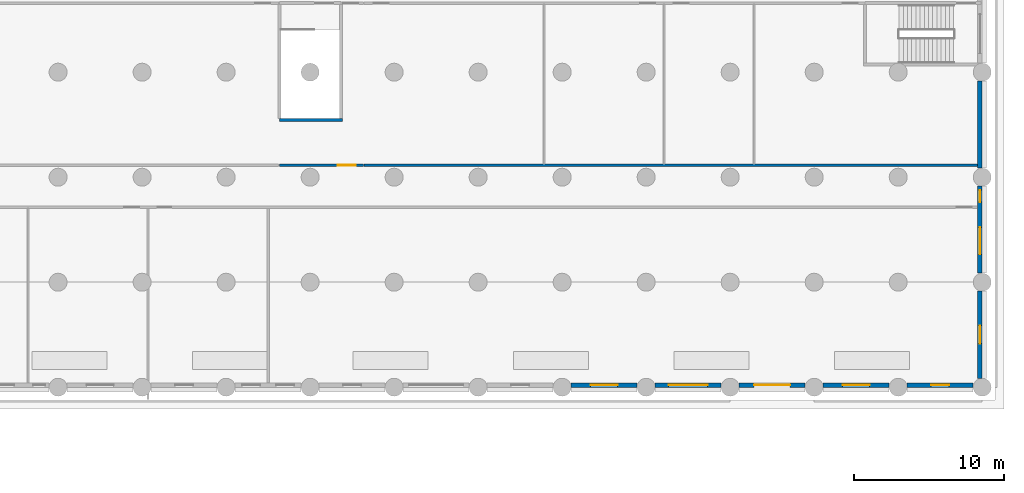
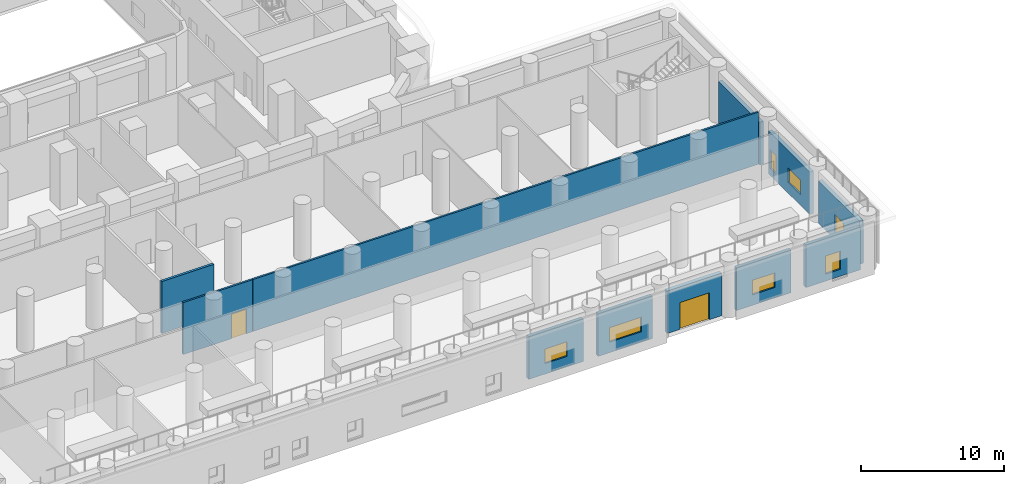
# One storey, part 8 of 24: 11 walls, 7 windows, 2 doors, 9 openings.
"""IFC4 building model written with IfcOpenShell, lengths in metres."""

from ifc_helpers import new_model, si_unit, direction, frame, frame_2d, origin, place, context, subcontext, project, spatial, rectangle, extrude, material, layer, layer_set, type_object, element, fill, save


model = new_model("IFC4")

# Units and contexts
model_context = context("Model", 3, precision=1e-05, world=origin(), true_north=direction((0.0, 1.0)))
body_context = subcontext(model_context, "Body", "Model", "MODEL_VIEW")
ifc_project = project(units=[si_unit("LENGTHUNIT", "METRE"), si_unit("AREAUNIT", "SQUARE_METRE"), si_unit("VOLUMEUNIT", "CUBIC_METRE"), si_unit("PLANEANGLEUNIT", "RADIAN"), si_unit("MASSUNIT", "GRAM", prefix="KILO")], contexts=[model_context])

# Site, building, storey
site_placement = place(None, origin())
site = spatial("IfcSite", under=ifc_project, at=site_placement, CompositionType="ELEMENT")
building_placement = place(site_placement, origin())
building = spatial("IfcBuilding", under=site, at=building_placement, Name="Kiln Ring Residences", CompositionType="ELEMENT")
storey_placement = place(building_placement, frame((0.0, 0.0, 11.300048828125)))
storey = spatial("IfcBuildingStorey", under=building, at=storey_placement, Name="L02", CompositionType="ELEMENT", Elevation=11.300048828125)

# Wall, opening, window
ifc_material_1 = material(Name="Brick masonry, dark clay brick", Category="masonry")
ifc_layer_1 = layer(ifc_material_1, 0.300048828125)
ifc_layer_set_1 = layer_set([ifc_layer_1], Name="EW-300 BRICK WALL")
wall_type_1 = type_object("IfcWallType", Name="EW-300 BRICK WALL", PredefinedType="SOLIDWALL", material=ifc_layer_set_1)
wall_1_placement = place(storey_placement, frame((44.64990234375, -49.800048828125, 0.0), z_axis=(0.0, 0.0, 1.0), x_axis=(0.0, 1.0, 0.0)))
wall_1 = element("IfcWall", 1, at=wall_1_placement, inside=storey, type_object=wall_type_1, Name="Facade wall L02 1", PredefinedType="SOLIDWALL", context=body_context, shape_type="SweptSolid", body=[
    extrude(rectangle(XDim=5.800048828125, YDim=0.300048828125, at=frame_2d((2.89990234375, 0.0))), origin(), (0.0, 0.0, 1.0), 3.64990234375),
])
opening_1_placement = place(wall_1_placement, frame((2.300048828125, 0.0, 0.60009765625)))
opening_1 = element("IfcOpeningElement", 2, at=opening_1_placement, cuts=wall_1, Name="Opening W1", PredefinedType="OPENING", context=body_context, shape_type="SweptSolid", body=[
    extrude(rectangle(XDim=1.199951171875, YDim=1.550048828125, at=frame_2d((0.60009765625, 0.77490234375))), frame((0.0, 0.159912109375, 0.0), z_axis=(0.0, -1.0, 0.0), x_axis=(1.0, 0.0, 0.0)), (0.0, 0.0, 1.0), 0.320068359375),
])
ifc_material_2 = material(Name="Aluminium frame with double glazing", Category="aluminium")
window_type_1 = type_object("IfcWindowType", Name="WINDOW 1200 x 1550", PartitioningType="SINGLE_PANEL", PredefinedType="WINDOW", material=ifc_material_2)
window_1_placement = place(opening_1_placement, origin())
window_1 = element("IfcWindow", 3, at=window_1_placement, inside=storey, type_object=window_type_1, Name="Window L02 1", OverallHeight=1.550048828125, OverallWidth=1.199951171875, PartitioningType="SINGLE_PANEL", PredefinedType="WINDOW", context=body_context, shape_type="SweptSolid", body=[
    extrude(rectangle(XDim=1.199951171875, YDim=1.550048828125, at=frame_2d((0.60009765625, 0.77490234375))), frame((0.0, 0.030029296875, 0.0), z_axis=(0.0, -1.0, 0.0), x_axis=(1.0, 0.0, 0.0)), (0.0, 0.0, 1.0), 0.06005859375),
])
fill(opening_1, window_1)

# Wall, openings, windows
wall_2_placement = place(storey_placement, frame((44.64990234375, -42.800048828125, 0.0), z_axis=(0.0, 0.0, 1.0), x_axis=(0.0, 1.0, 0.0)))
wall_2 = element("IfcWall", 4, at=wall_2_placement, inside=storey, type_object=wall_type_1, Name="Facade wall L02 2", PredefinedType="SOLIDWALL", context=body_context, shape_type="SweptSolid", body=[
    extrude(rectangle(XDim=5.800048828125, YDim=0.300048828125, at=frame_2d((2.89990234375, 0.0))), origin(), (0.0, 0.0, 1.0), 3.64990234375),
])
opening_2_placement = place(wall_2_placement, frame((1.262451171875, 0.0, 0.89990234375)))
opening_2 = element("IfcOpeningElement", 5, at=opening_2_placement, cuts=wall_2, Name="Opening W2", PredefinedType="OPENING", context=body_context, shape_type="SweptSolid", body=[
    extrude(rectangle(XDim=1.800048828125, YDim=1.25, at=frame_2d((0.89990234375, 0.625))), frame((0.0, 0.159912109375, 0.0), z_axis=(0.0, -1.0, 0.0), x_axis=(1.0, 0.0, 0.0)), (0.0, 0.0, 1.0), 0.320068359375),
])
opening_3_placement = place(wall_2_placement, frame((4.737548828125, 0.0, 0.60009765625)))
opening_3 = element("IfcOpeningElement", 6, at=opening_3_placement, cuts=wall_2, Name="Opening W5", PredefinedType="OPENING", context=body_context, shape_type="SweptSolid", body=[
    extrude(rectangle(XDim=0.800048828125, YDim=1.550048828125, at=frame_2d((0.39990234375, 0.77490234375))), frame((0.0, 0.159912109375, 0.0), z_axis=(0.0, -1.0, 0.0), x_axis=(1.0, 0.0, 0.0)), (0.0, 0.0, 1.0), 0.320068359375),
])
ifc_material_3 = material(Name="Aluminium frame with double glazing", Category="aluminium")
window_type_2 = type_object("IfcWindowType", Name="WINDOW 1800 x 1250", PartitioningType="SINGLE_PANEL", PredefinedType="WINDOW", material=ifc_material_3)
window_2_placement = place(opening_2_placement, origin())
window_2 = element("IfcWindow", 7, at=window_2_placement, inside=storey, type_object=window_type_2, Name="Window L02 2", OverallHeight=1.25, OverallWidth=1.800048828125, PartitioningType="SINGLE_PANEL", PredefinedType="WINDOW", context=body_context, shape_type="SweptSolid", body=[
    extrude(rectangle(XDim=1.800048828125, YDim=1.25, at=frame_2d((0.89990234375, 0.625))), frame((0.0, 0.030029296875, 0.0), z_axis=(0.0, -1.0, 0.0), x_axis=(1.0, 0.0, 0.0)), (0.0, 0.0, 1.0), 0.06005859375),
])
fill(opening_2, window_2)
ifc_material_4 = material(Name="Aluminium frame with double glazing", Category="aluminium")
window_type_3 = type_object("IfcWindowType", Name="WINDOW 800 x 1550", PartitioningType="SINGLE_PANEL", PredefinedType="WINDOW", material=ifc_material_4)
window_3_placement = place(opening_3_placement, origin())
window_3 = element("IfcWindow", 8, at=window_3_placement, inside=storey, type_object=window_type_3, Name="Window L02 3", OverallHeight=1.550048828125, OverallWidth=0.800048828125, PartitioningType="SINGLE_PANEL", PredefinedType="WINDOW", context=body_context, shape_type="SweptSolid", body=[
    extrude(rectangle(XDim=0.800048828125, YDim=1.550048828125, at=frame_2d((0.39990234375, 0.77490234375))), frame((0.0, 0.030029296875, 0.0), z_axis=(0.0, -1.0, 0.0), x_axis=(1.0, 0.0, 0.0)), (0.0, 0.0, 1.0), 0.06005859375),
])
fill(opening_3, window_3)

# Wall
wall_3_placement = place(storey_placement, frame((44.64990234375, -35.800048828125, 0.0), z_axis=(0.0, 0.0, 1.0), x_axis=(0.0, 1.0, 0.0)))
element("IfcWall", 9, at=wall_3_placement, inside=storey, type_object=wall_type_1, Name="Facade wall L02 3", PredefinedType="SOLIDWALL", context=body_context, shape_type="SweptSolid", body=[
    extrude(rectangle(XDim=5.800048828125, YDim=0.300048828125, at=frame_2d((2.89990234375, 0.0))), origin(), (0.0, 0.0, 1.0), 3.64990234375),
])

# Wall, opening, window
wall_4_placement = place(storey_placement, frame((17.39990234375, -50.25, 0.0), z_axis=(0.0, 0.0, 1.0), x_axis=(1.0, 0.0, 0.0)))
wall_4 = element("IfcWall", 10, at=wall_4_placement, inside=storey, type_object=wall_type_1, Name="Facade wall L02 70", PredefinedType="SOLIDWALL", context=body_context, shape_type="SweptSolid", body=[
    extrude(rectangle(XDim=4.400146484375, YDim=0.300048828125, at=frame_2d((2.2001953125, 0.0))), origin(), (0.0, 0.0, 1.0), 3.64990234375),
])
opening_4_placement = place(wall_4_placement, frame((1.300048828125, 0.0, 0.89990234375)))
opening_4 = element("IfcOpeningElement", 11, at=opening_4_placement, cuts=wall_4, Name="Opening W2", PredefinedType="OPENING", context=body_context, shape_type="SweptSolid", body=[
    extrude(rectangle(XDim=1.800048828125, YDim=1.25, at=frame_2d((0.89990234375, 0.625))), frame((0.0, 0.159912109375, 0.0), z_axis=(0.0, -1.0, 0.0), x_axis=(1.0, 0.0, 0.0)), (0.0, 0.0, 1.0), 0.320068359375),
])
window_4_placement = place(opening_4_placement, origin())
window_4 = element("IfcWindow", 12, at=window_4_placement, inside=storey, type_object=window_type_2, Name="Window L02 43", OverallHeight=1.25, OverallWidth=1.800048828125, PartitioningType="SINGLE_PANEL", PredefinedType="WINDOW", context=body_context, shape_type="SweptSolid", body=[
    extrude(rectangle(XDim=1.800048828125, YDim=1.25, at=frame_2d((0.89990234375, 0.625))), frame((0.0, 0.030029296875, 0.0), z_axis=(0.0, -1.0, 0.0), x_axis=(1.0, 0.0, 0.0)), (0.0, 0.0, 1.0), 0.06005859375),
])
fill(opening_4, window_4)

wall_5_placement = place(storey_placement, frame((23.0, -50.25, 0.0), z_axis=(0.0, 0.0, 1.0), x_axis=(1.0, 0.0, 0.0)))
wall_5 = element("IfcWall", 13, at=wall_5_placement, inside=storey, type_object=wall_type_1, Name="Facade wall L02 71", PredefinedType="SOLIDWALL", context=body_context, shape_type="SweptSolid", body=[
    extrude(rectangle(XDim=4.39990234375, YDim=0.300048828125, at=frame_2d((2.199951171875, 0.0))), origin(), (0.0, 0.0, 1.0), 3.64990234375),
])
opening_5_placement = place(wall_5_placement, frame((0.89990234375, 0.0, 0.89990234375)))
opening_5 = element("IfcOpeningElement", 14, at=opening_5_placement, cuts=wall_5, Name="Opening W3", PredefinedType="OPENING", context=body_context, shape_type="SweptSolid", body=[
    extrude(rectangle(XDim=2.60009765625, YDim=1.25, at=frame_2d((1.300048828125, 0.625))), frame((0.0, 0.159912109375, 0.0), z_axis=(0.0, -1.0, 0.0), x_axis=(1.0, 0.0, 0.0)), (0.0, 0.0, 1.0), 0.320068359375),
])
ifc_material_5 = material(Name="Aluminium frame with double glazing", Category="aluminium")
window_type_4 = type_object("IfcWindowType", Name="WINDOW 2600 x 1250", PartitioningType="SINGLE_PANEL", PredefinedType="WINDOW", material=ifc_material_5)
window_5_placement = place(opening_5_placement, origin())
window_5 = element("IfcWindow", 15, at=window_5_placement, inside=storey, type_object=window_type_4, Name="Window L02 44", OverallHeight=1.25, OverallWidth=2.60009765625, PartitioningType="SINGLE_PANEL", PredefinedType="WINDOW", context=body_context, shape_type="SweptSolid", body=[
    extrude(rectangle(XDim=2.60009765625, YDim=1.25, at=frame_2d((1.300048828125, 0.625))), frame((0.0, 0.030029296875, 0.0), z_axis=(0.0, -1.0, 0.0), x_axis=(1.0, 0.0, 0.0)), (0.0, 0.0, 1.0), 0.06005859375),
])
fill(opening_5, window_5)

# Wall, opening, door
wall_6_placement = place(storey_placement, frame((28.60009765625, -50.25, 0.0), z_axis=(0.0, 0.0, 1.0), x_axis=(1.0, 0.0, 0.0)))
wall_6 = element("IfcWall", 16, at=wall_6_placement, inside=storey, type_object=wall_type_1, Name="Facade wall L02 72", PredefinedType="SOLIDWALL", context=body_context, shape_type="SweptSolid", body=[
    extrude(rectangle(XDim=4.39990234375, YDim=0.300048828125, at=frame_2d((2.199951171875, 0.0))), origin(), (0.0, 0.0, 1.0), 3.64990234375),
])
opening_6_placement = place(wall_6_placement, frame((1.0, 0.0, 0.0)))
opening_6 = element("IfcOpeningElement", 17, at=opening_6_placement, cuts=wall_6, Name="Opening EL02-2", PredefinedType="OPENING", context=body_context, shape_type="SweptSolid", body=[
    extrude(rectangle(XDim=2.39990234375, YDim=2.300048828125, at=frame_2d((1.199951171875, 1.14990234375))), frame((0.0, 0.159912109375, 0.0), z_axis=(0.0, -1.0, 0.0), x_axis=(1.0, 0.0, 0.0)), (0.0, 0.0, 1.0), 0.320068359375),
])
ifc_material_6 = material(Name="Aluminium and glass", Category="aluminium")
door_type_1 = type_object("IfcDoorType", Name="TERRACE DOOR 2400 x 2300", OperationType="DOUBLE_DOOR_SINGLE_SWING", PredefinedType="DOOR", material=ifc_material_6)
door_1_placement = place(opening_6_placement, origin())
door_1 = element("IfcDoor", 18, at=door_1_placement, inside=storey, type_object=door_type_1, Name="Terrace door EL02-2", OperationType="SINGLE_SWING_LEFT", OverallHeight=2.300048828125, OverallWidth=2.39990234375, PredefinedType="DOOR", context=body_context, shape_type="SweptSolid", body=[
    extrude(rectangle(XDim=2.39990234375, YDim=2.300048828125, at=frame_2d((1.199951171875, 1.14990234375))), frame((0.0, 0.02490234375, 0.0), z_axis=(0.0, -1.0, 0.0), x_axis=(1.0, 0.0, 0.0)), (0.0, 0.0, 1.0), 0.050048828125),
])
fill(opening_6, door_1)

# Wall, opening, window
wall_7_placement = place(storey_placement, frame((34.199951171875, -50.25, 0.0), z_axis=(0.0, 0.0, 1.0), x_axis=(1.0, 0.0, 0.0)))
wall_7 = element("IfcWall", 19, at=wall_7_placement, inside=storey, type_object=wall_type_1, Name="Facade wall L02 73", PredefinedType="SOLIDWALL", context=body_context, shape_type="SweptSolid", body=[
    extrude(rectangle(XDim=4.400146484375, YDim=0.300048828125, at=frame_2d((2.2001953125, 0.0))), origin(), (0.0, 0.0, 1.0), 3.64990234375),
])
opening_7_placement = place(wall_7_placement, frame((1.300048828125, 0.0, 0.89990234375)))
opening_7 = element("IfcOpeningElement", 20, at=opening_7_placement, cuts=wall_7, Name="Opening W2", PredefinedType="OPENING", context=body_context, shape_type="SweptSolid", body=[
    extrude(rectangle(XDim=1.800048828125, YDim=1.25, at=frame_2d((0.89990234375, 0.625))), frame((0.0, 0.159912109375, 0.0), z_axis=(0.0, -1.0, 0.0), x_axis=(1.0, 0.0, 0.0)), (0.0, 0.0, 1.0), 0.320068359375),
])
window_6_placement = place(opening_7_placement, origin())
window_6 = element("IfcWindow", 21, at=window_6_placement, inside=storey, type_object=window_type_2, Name="Window L02 45", OverallHeight=1.25, OverallWidth=1.800048828125, PartitioningType="SINGLE_PANEL", PredefinedType="WINDOW", context=body_context, shape_type="SweptSolid", body=[
    extrude(rectangle(XDim=1.800048828125, YDim=1.25, at=frame_2d((0.89990234375, 0.625))), frame((0.0, 0.030029296875, 0.0), z_axis=(0.0, -1.0, 0.0), x_axis=(1.0, 0.0, 0.0)), (0.0, 0.0, 1.0), 0.06005859375),
])
fill(opening_7, window_6)

wall_8_placement = place(storey_placement, frame((39.800048828125, -50.25, 0.0), z_axis=(0.0, 0.0, 1.0), x_axis=(1.0, 0.0, 0.0)))
wall_8 = element("IfcWall", 22, at=wall_8_placement, inside=storey, type_object=wall_type_1, Name="Facade wall L02 74", PredefinedType="SOLIDWALL", context=body_context, shape_type="SweptSolid", body=[
    extrude(rectangle(XDim=4.39990234375, YDim=0.300048828125, at=frame_2d((2.199951171875, 0.0))), origin(), (0.0, 0.0, 1.0), 3.64990234375),
])
opening_8_placement = place(wall_8_placement, frame((1.60009765625, 0.0, 0.60009765625)))
opening_8 = element("IfcOpeningElement", 23, at=opening_8_placement, cuts=wall_8, Name="Opening W1", PredefinedType="OPENING", context=body_context, shape_type="SweptSolid", body=[
    extrude(rectangle(XDim=1.199951171875, YDim=1.550048828125, at=frame_2d((0.60009765625, 0.77490234375))), frame((0.0, 0.159912109375, 0.0), z_axis=(0.0, -1.0, 0.0), x_axis=(1.0, 0.0, 0.0)), (0.0, 0.0, 1.0), 0.320068359375),
])
window_7_placement = place(opening_8_placement, origin())
window_7 = element("IfcWindow", 24, at=window_7_placement, inside=storey, type_object=window_type_1, Name="Window L02 46", OverallHeight=1.550048828125, OverallWidth=1.199951171875, PartitioningType="SINGLE_PANEL", PredefinedType="WINDOW", context=body_context, shape_type="SweptSolid", body=[
    extrude(rectangle(XDim=1.199951171875, YDim=1.550048828125, at=frame_2d((0.60009765625, 0.77490234375))), frame((0.0, 0.030029296875, 0.0), z_axis=(0.0, -1.0, 0.0), x_axis=(1.0, 0.0, 0.0)), (0.0, 0.0, 1.0), 0.06005859375),
])
fill(opening_8, window_7)

# Wall, opening, door
ifc_material_7 = material(Name="Brick masonry partition", Category="masonry")
ifc_layer_2 = layer(ifc_material_7, 0.14990234375)
ifc_layer_set_2 = layer_set([ifc_layer_2], Name="PARTITION-150-ei60")
wall_type_2 = type_object("IfcWallType", Name="PARTITION-150-ei60", PredefinedType="PARTITIONING", material=ifc_layer_set_2)
wall_9_placement = place(storey_placement, frame((-2.050048828125, -35.60009765625, 0.0), z_axis=(0.0, 0.0, 1.0), x_axis=(1.0, 0.0, 0.0)))
wall_9 = element("IfcWall", 25, at=wall_9_placement, inside=storey, type_object=wall_type_2, Name="Partition 002", PredefinedType="PARTITIONING", context=body_context, shape_type="SweptSolid", body=[
    extrude(rectangle(XDim=5.60009765625, YDim=0.14990234375, at=frame_2d((2.800048828125, 0.0))), origin(), (0.0, 0.0, 1.0), 4.449951171875),
])
opening_9_placement = place(wall_9_placement, frame((3.89990234375, 0.0, 0.0)))
opening_9 = element("IfcOpeningElement", 26, at=opening_9_placement, cuts=wall_9, Name="Opening L02-D010", PredefinedType="OPENING", context=body_context, shape_type="SweptSolid", body=[
    extrude(rectangle(XDim=1.199951171875, YDim=2.10009765625, at=frame_2d((0.60009765625, 1.050048828125))), frame((0.0, 0.0849609375, 0.0), z_axis=(0.0, -1.0, 0.0), x_axis=(1.0, 0.0, 0.0)), (0.0, 0.0, 1.0), 0.169921875),
])
ifc_material_8 = material(Name="Steel faced fire door leaf", Category="steel")
door_type_2 = type_object("IfcDoorType", Name="FLAT-DOOR-1200-FR", OperationType="SINGLE_SWING_LEFT", PredefinedType="DOOR", material=ifc_material_8)
door_2_placement = place(opening_9_placement, origin())
door_2 = element("IfcDoor", 27, at=door_2_placement, inside=storey, type_object=door_type_2, Name="Door L02-D010", OperationType="SINGLE_SWING_RIGHT", OverallHeight=2.10009765625, OverallWidth=1.199951171875, PredefinedType="DOOR", context=body_context, shape_type="SweptSolid", body=[
    extrude(rectangle(XDim=1.199951171875, YDim=2.10009765625, at=frame_2d((0.60009765625, 1.050048828125))), frame((0.0, 0.02490234375, 0.0), z_axis=(0.0, -1.0, 0.0), x_axis=(1.0, 0.0, 0.0)), (0.0, 0.0, 1.0), 0.050048828125),
])
fill(opening_9, door_2)

# Walls
wall_10_placement = place(storey_placement, frame((3.60009765625, -35.60009765625, 0.0), z_axis=(0.0, 0.0, 1.0), x_axis=(1.0, 0.0, 0.0)))
element("IfcWall", 28, at=wall_10_placement, inside=storey, type_object=wall_type_2, Name="Partition 003", PredefinedType="PARTITIONING", context=body_context, shape_type="SweptSolid", body=[
    extrude(rectangle(XDim=40.8798828125, YDim=0.14990234375, at=frame_2d((20.43994140625, 0.0))), origin(), (0.0, 0.0, 1.0), 4.449951171875),
])
ifc_material_9 = material(Name="Concrete C40/50", Category="concrete")
ifc_layer_3 = layer(ifc_material_9, 0.199951171875)
ifc_layer_set_3 = layer_set([ifc_layer_3], Name="PODIUM-STAIR-WALL-200")
wall_type_3 = type_object("IfcWallType", Name="PODIUM-STAIR-WALL-200", PredefinedType="SHEAR", material=ifc_layer_set_3)
wall_11_placement = place(storey_placement, frame((-2.050048828125, -32.60009765625, 0.0), z_axis=(0.0, 0.0, 1.0), x_axis=(1.0, 0.0, 0.0)))
element("IfcWall", 29, at=wall_11_placement, inside=storey, type_object=wall_type_3, Name="Stair wall 004", PredefinedType="SHEAR", context=body_context, shape_type="SweptSolid", body=[
    extrude(rectangle(XDim=4.199951171875, YDim=0.199951171875, at=frame_2d((2.10009765625, 0.0))), origin(), (0.0, 0.0, 1.0), 4.449951171875),
])

save(model, "model.ifc")
